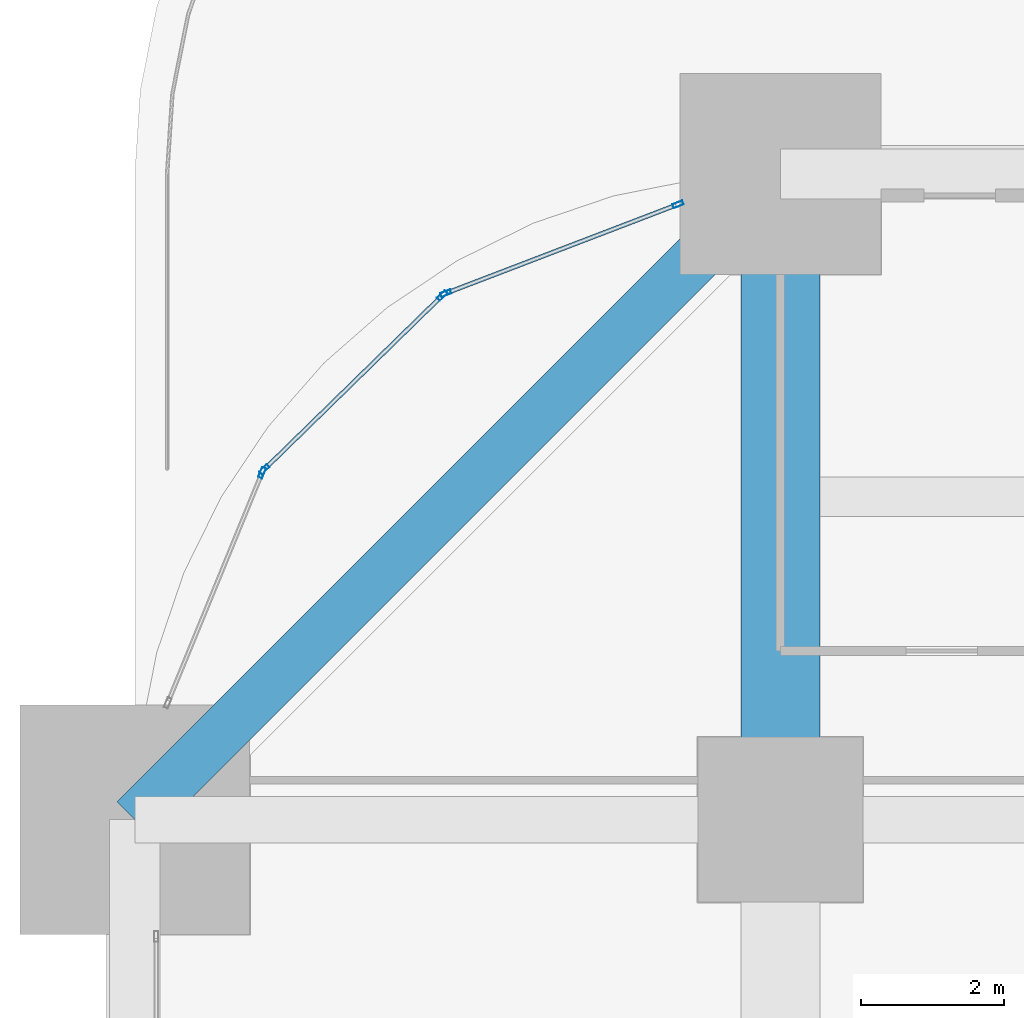
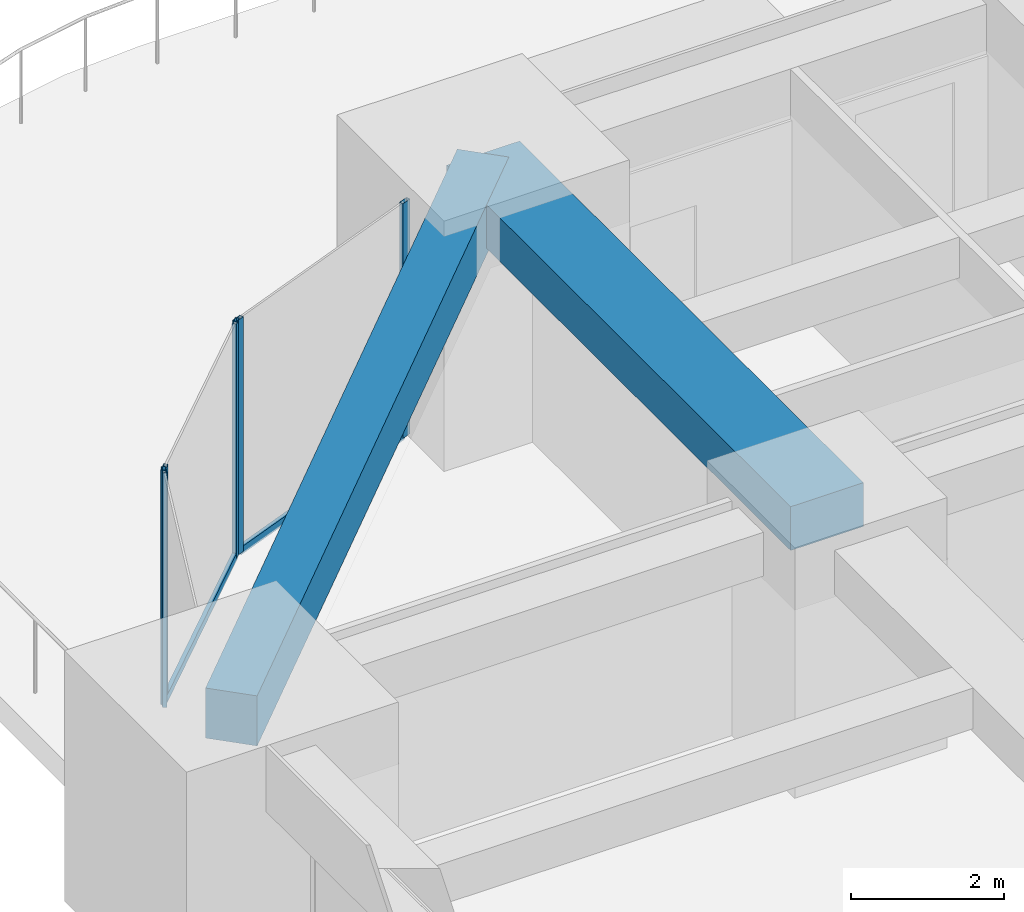
# One storey, part 26 of 50: 7 members, 2 beams, 3 elements without a shape of their own.
"""IFC4 building model written with IfcOpenShell, lengths in metres."""

from ifc_helpers import new_model, si_unit, direction, frame, origin, origin_2d, place, context, subcontext, project, spatial, rectangle, hollow_rectangle, extrude, material, material_profile, profile_set, type_object, element, aggregate, save


model = new_model("IFC4")

# Units and contexts
model_context = context("Model", 3, precision=1e-05, world=origin(), true_north=direction((0.0, 1.0)))
body_context = subcontext(model_context, "Body", "Model", "MODEL_VIEW")
ifc_project = project(units=[si_unit("LENGTHUNIT", "METRE"), si_unit("AREAUNIT", "SQUARE_METRE"), si_unit("VOLUMEUNIT", "CUBIC_METRE"), si_unit("PLANEANGLEUNIT", "RADIAN"), si_unit("MASSUNIT", "GRAM", prefix="KILO")], contexts=[model_context])

# Site, building, storey
site_placement = place(None, origin())
site = spatial("IfcSite", under=ifc_project, at=site_placement, CompositionType="ELEMENT")
building_placement = place(site_placement, origin())
building = spatial("IfcBuilding", under=site, at=building_placement, Name="Zorevar Civic Tower", CompositionType="ELEMENT")
storey_placement = place(building_placement, frame((0.0, 0.0, 85.0)))
storey = spatial("IfcBuildingStorey", under=building, at=storey_placement, Name="L20", CompositionType="ELEMENT", Elevation=85.0)

# Beam
ifc_material_1 = material(Name="Concrete C50/60", Category="concrete")
ifc_material_profile_1 = material_profile(ifc_material_1, rectangle(XDim=1.10009765625, YDim=0.699951171875, at=origin_2d()), Name="RC 1100x700")
ifc_profile_set_1 = profile_set([ifc_material_profile_1], Name="Concrete C50/60")
beam_type_1 = type_object("IfcBeamType", Name="Beam RC 1100x700", PredefinedType="BEAM", material=ifc_profile_set_1)
beam_1_placement = place(storey_placement, frame((9.0, 36.0, 3.39990234375), z_axis=(0.0, 1.0, 0.0), x_axis=(-1.0, 0.0, 0.0)))
element("IfcBeam", 1, at=beam_1_placement, inside=storey, type_object=beam_type_1, Name="Girder L21", PredefinedType="BEAM", context=body_context, shape_type="SweptSolid", body=[
    extrude(rectangle(XDim=1.10009765625, YDim=0.699951171875, at=origin_2d()), origin(), (0.0, 0.0, 1.0), 9.0),
])

# Curtain wall, members
ifc_material_2 = material(Name="Dark grey solar-control glass in black aluminium frame", Category="aluminium")
curtain_wall_type = type_object("IfcCurtainWallType", Name="Curtain wall CW3 mid zone", PredefinedType="NOTDEFINED", material=ifc_material_2)
curtain_wall_1_placement = place(storey_placement, origin())
curtain_wall_1 = element("IfcCurtainWall", 2, at=curtain_wall_1_placement, inside=storey, type_object=curtain_wall_type, Name="CW3 L20", PredefinedType="NOTDEFINED")
ifc_material_3 = material(Name="Aluminium, black anodised", Category="aluminium")
ifc_material_profile_2 = material_profile(ifc_material_3, hollow_rectangle(XDim=0.06005859375, YDim=0.14990234375, WallThickness=0.00390625, at=origin_2d()), Name="AL 150x60x4")
ifc_profile_set_2 = profile_set([ifc_material_profile_2], Name="Aluminium, black anodised")
member_type_1 = type_object("IfcMemberType", Name="CW3 mullion AL 150x60x4", PredefinedType="MULLION", material=ifc_profile_set_2)
member_1_placement = place(storey_placement, frame((7.572021484375, 44.575927734375, 0.0), z_axis=(0.0, 0.0, 1.0), x_axis=(0.35756081575, -0.933889855947, 0.0)))
member_1 = element("IfcMember", 3, at=member_1_placement, type_object=member_type_1, Name="CW3 mullion 1", PredefinedType="MULLION", context=body_context, shape_type="SweptSolid", body=[
    extrude(hollow_rectangle(XDim=0.06005859375, YDim=0.14990234375, WallThickness=0.00390625, at=origin_2d()), origin(), (0.0, 0.0, 1.0), 3.75),
])
member_2_placement = place(storey_placement, frame((4.33544921875, 43.336669921875, 0.0), z_axis=(0.0, 0.0, 1.0), x_axis=(0.35756081575, -0.933889855947, 0.0)))
member_2 = element("IfcMember", 4, at=member_2_placement, type_object=member_type_1, Name="CW3 mullion 2", PredefinedType="MULLION", context=body_context, shape_type="SweptSolid", body=[
    extrude(hollow_rectangle(XDim=0.06005859375, YDim=0.14990234375, WallThickness=0.00390625, at=origin_2d()), origin(), (0.0, 0.0, 1.0), 3.75),
])

curtain_wall_2_placement = place(storey_placement, origin())
curtain_wall_2 = element("IfcCurtainWall", 5, at=curtain_wall_2_placement, inside=storey, type_object=curtain_wall_type, Name="CW3 L20", PredefinedType="NOTDEFINED")
member_3_placement = place(storey_placement, frame((4.2861328125, 43.304931640625, 0.0), z_axis=(0.0, 0.0, 1.0), x_axis=(0.698796831156, -0.715320200166, 0.0)))
member_3 = element("IfcMember", 6, at=member_3_placement, type_object=member_type_1, Name="CW3 mullion 1", PredefinedType="MULLION", context=body_context, shape_type="SweptSolid", body=[
    extrude(hollow_rectangle(XDim=0.06005859375, YDim=0.14990234375, WallThickness=0.00390625, at=origin_2d()), origin(), (0.0, 0.0, 1.0), 3.75),
])
member_4_placement = place(storey_placement, frame((1.806884765625, 40.88330078125, 0.0), z_axis=(0.0, 0.0, 1.0), x_axis=(0.698796831156, -0.715320200166, 0.0)))
member_4 = element("IfcMember", 7, at=member_4_placement, type_object=member_type_1, Name="CW3 mullion 2", PredefinedType="MULLION", context=body_context, shape_type="SweptSolid", body=[
    extrude(hollow_rectangle(XDim=0.06005859375, YDim=0.14990234375, WallThickness=0.00390625, at=origin_2d()), origin(), (0.0, 0.0, 1.0), 3.75),
])

# Curtain wall, member
curtain_wall_3_placement = place(storey_placement, origin())
curtain_wall_3 = element("IfcCurtainWall", 8, at=curtain_wall_3_placement, inside=storey, type_object=curtain_wall_type, Name="CW3 L20", PredefinedType="NOTDEFINED")
member_5_placement = place(storey_placement, frame((1.774169921875, 40.83447265625, 0.0), z_axis=(0.0, 0.0, 1.0), x_axis=(0.925293982968, -0.379250636233, 0.0)))
member_5 = element("IfcMember", 9, at=member_5_placement, type_object=member_type_1, Name="CW3 mullion 1", PredefinedType="MULLION", context=body_context, shape_type="SweptSolid", body=[
    extrude(hollow_rectangle(XDim=0.06005859375, YDim=0.14990234375, WallThickness=0.00390625, at=origin_2d()), origin(), (0.0, 0.0, 1.0), 3.75),
])
aggregate(curtain_wall_3, [member_5])

# Member
ifc_material_4 = material(Name="Aluminium, black anodised", Category="aluminium")
ifc_material_profile_3 = material_profile(ifc_material_4, hollow_rectangle(XDim=0.06005859375, YDim=0.1201171875, WallThickness=0.0029296875, at=origin_2d()), Name="AL 120x60x3")
ifc_profile_set_3 = profile_set([ifc_material_profile_3], Name="Aluminium, black anodised")
member_type_2 = type_object("IfcMemberType", Name="CW3 transom AL 120x60x3", PredefinedType="USERDEFINED", material=ifc_profile_set_3)
member_6_placement = place(storey_placement, frame((7.5439453125, 44.565185546875, 0.030029296875), z_axis=(-0.933882220857, -0.357580756708, 0.0), x_axis=(0.357580756708, -0.933882220857, 0.0)))
member_6 = element("IfcMember", 10, at=member_6_placement, type_object=member_type_2, Name="CW3 sill transom", ObjectType="TRANSOM", PredefinedType="USERDEFINED", context=body_context, shape_type="SweptSolid", body=[
    extrude(hollow_rectangle(XDim=0.06005859375, YDim=0.1201171875, WallThickness=0.0029296875, at=origin_2d()), origin(), (0.0, 0.0, 1.0), 3.405517578125),
])

aggregate(curtain_wall_1, [member_1, member_2, member_6])

member_7_placement = place(storey_placement, frame((4.2646484375, 43.283935546875, 0.030029296875), z_axis=(-0.715337845965, -0.698778767659, 0.0), x_axis=(0.698778767659, -0.715337845965, 0.0)))
member_7 = element("IfcMember", 11, at=member_7_placement, type_object=member_type_2, Name="CW3 sill transom", ObjectType="TRANSOM", PredefinedType="USERDEFINED", context=body_context, shape_type="SweptSolid", body=[
    extrude(hollow_rectangle(XDim=0.06005859375, YDim=0.1201171875, WallThickness=0.0029296875, at=origin_2d()), origin(), (0.0, 0.0, 1.0), 3.40576171875),
])

aggregate(curtain_wall_2, [member_3, member_4, member_7])

# Beam
ifc_material_5 = material(Name="Concrete C50/60", Category="concrete")
ifc_material_profile_4 = material_profile(ifc_material_5, rectangle(XDim=0.699951171875, YDim=0.800048828125, at=origin_2d()), Name="RC 700x800")
ifc_profile_set_4 = profile_set([ifc_material_profile_4], Name="Concrete C50/60")
beam_type_2 = type_object("IfcBeamType", Name="Edge beam RC 700x800", PredefinedType="SPANDREL", material=ifc_profile_set_4)
beam_2_placement = place(storey_placement, frame((9.0, 45.0, 3.35009765625), z_axis=(-0.707106781187, -0.707106781187, 0.0), x_axis=(0.707106781187, -0.707106781187, 0.0)))
element("IfcBeam", 12, at=beam_2_placement, inside=storey, type_object=beam_type_2, Name="Corner edge beam L21", PredefinedType="SPANDREL", context=body_context, shape_type="SweptSolid", body=[
    extrude(rectangle(XDim=0.699951171875, YDim=0.800048828125, at=origin_2d()), origin(), (0.0, 0.0, 1.0), 12.72802734375),
])

save(model, "model.ifc")
